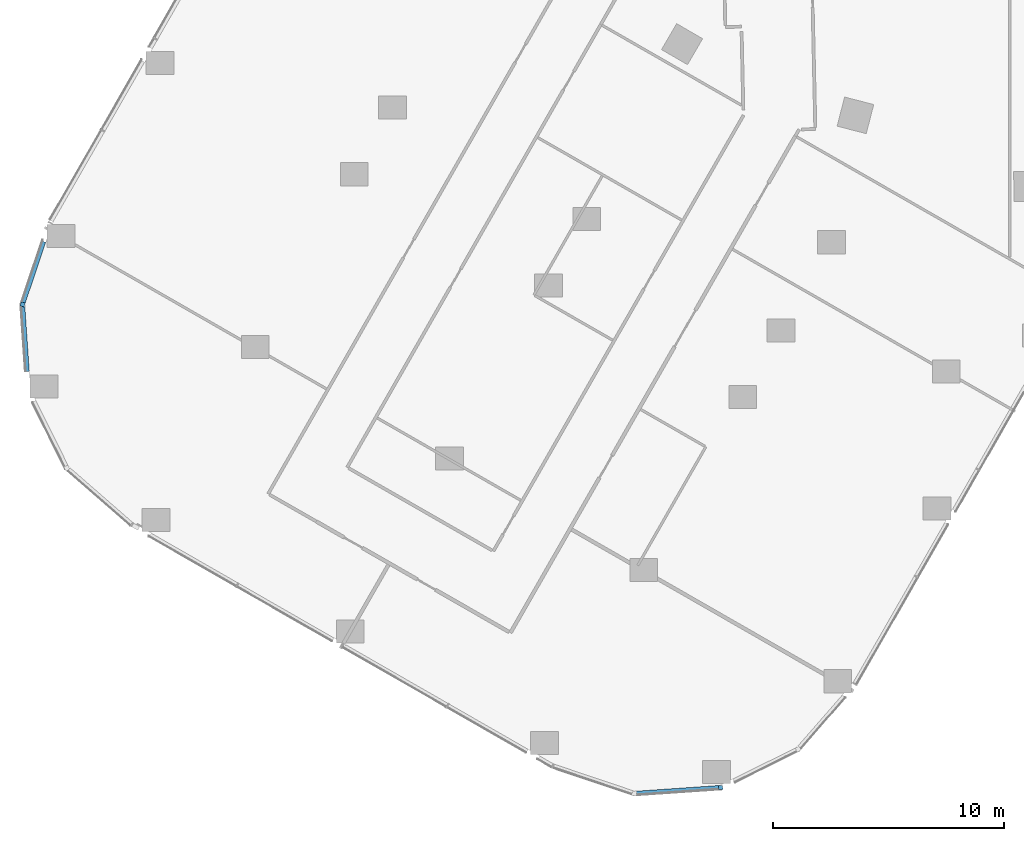
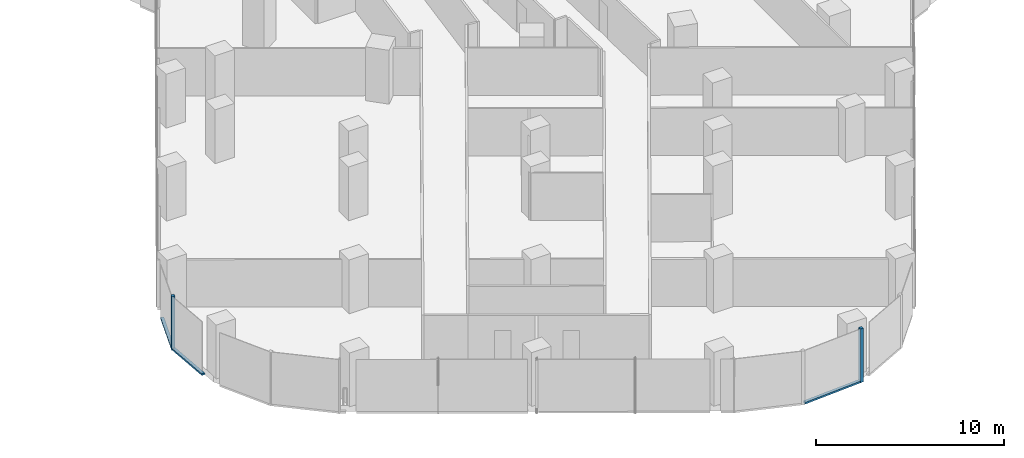
# One storey, part 3 of 34: 5 members, 3 elements without a shape of their own.
"""IFC4 building model written with IfcOpenShell, lengths in metres."""

from ifc_helpers import new_model, si_unit, direction, frame, origin, origin_2d, place, context, subcontext, project, spatial, rectangle, extrude, material, material_profile, profile_set, type_object, element, aggregate, save


model = new_model("IFC4")

# Units and contexts
model_context = context("Model", 3, precision=1e-05, world=origin(), true_north=direction((0.0, 1.0)))
body_context = subcontext(model_context, "Body", "Model", "MODEL_VIEW")
ifc_project = project(units=[si_unit("LENGTHUNIT", "METRE"), si_unit("AREAUNIT", "SQUARE_METRE"), si_unit("VOLUMEUNIT", "CUBIC_METRE"), si_unit("PLANEANGLEUNIT", "RADIAN"), si_unit("MASSUNIT", "GRAM", prefix="KILO")], contexts=[model_context])

# Site, building, storey
site_placement = place(None, origin())
site = spatial("IfcSite", under=ifc_project, at=site_placement, CompositionType="ELEMENT")
building_placement = place(site_placement, origin())
building = spatial("IfcBuilding", under=site, at=building_placement, Name="Orlundy Tower", CompositionType="ELEMENT")
storey_placement = place(building_placement, frame((0.0, 0.0, 109.199951171875)))
storey = spatial("IfcBuildingStorey", under=building, at=storey_placement, Name="L27", CompositionType="ELEMENT", Elevation=109.199951171875)

# Curtain wall, member
ifc_material_1 = material(Name="Aluminium bronze anodised", Category="aluminium")
curtain_wall_type = type_object("IfcCurtainWallType", Name="CW1 wall", PredefinedType="NOTDEFINED", material=ifc_material_1)
curtain_wall_1_placement = place(storey_placement, origin())
curtain_wall_1 = element("IfcCurtainWall", 1, at=curtain_wall_1_placement, inside=storey, type_object=curtain_wall_type, Name="CW1 run 05", PredefinedType="NOTDEFINED")
ifc_material_2 = material(Name="Aluminium bronze anodised", Category="aluminium")
ifc_material_profile_1 = material_profile(ifc_material_2, rectangle(XDim=0.179931640625, YDim=0.179931640625, at=origin_2d()), Name="CW1 corner post 180x180")
ifc_profile_set_1 = profile_set([ifc_material_profile_1], Name="Aluminium bronze anodised")
member_type_1 = type_object("IfcMemberType", Name="CW1 corner post 180x180", PredefinedType="MULLION", material=ifc_profile_set_1)
member_1_placement = place(storey_placement, frame((-13.256103515625, -57.8544921875, -0.39990234375), z_axis=(0.0, 0.0, 1.0), x_axis=(0.068524326451, -0.99764944579, 0.0)))
member_1 = element("IfcMember", 2, at=member_1_placement, type_object=member_type_1, Name="CW1 mullion 16", PredefinedType="MULLION", context=body_context, shape_type="SweptSolid", body=[
    extrude(rectangle(XDim=0.179931640625, YDim=0.179931640625, at=origin_2d()), origin(), (0.0, 0.0, 1.0), 3.5),
])

curtain_wall_2_placement = place(storey_placement, origin())
curtain_wall_2 = element("IfcCurtainWall", 3, at=curtain_wall_2_placement, inside=storey, type_object=curtain_wall_type, Name="CW1 run 011", PredefinedType="NOTDEFINED")
member_2_placement = place(storey_placement, frame((-43.49609375, -36.92626953125, -0.39990234375), z_axis=(0.0, 0.0, 1.0), x_axis=(-0.947816641566, 0.318815956268, 0.0)))
member_2 = element("IfcMember", 4, at=member_2_placement, type_object=member_type_1, Name="CW1 mullion 25", PredefinedType="MULLION", context=body_context, shape_type="SweptSolid", body=[
    extrude(rectangle(XDim=0.179931640625, YDim=0.179931640625, at=origin_2d()), origin(), (0.0, 0.0, 1.0), 3.5),
])

# Member
ifc_material_3 = material(Name="Aluminium bronze anodised", Category="aluminium")
ifc_material_profile_2 = material_profile(ifc_material_3, rectangle(XDim=0.179931640625, YDim=0.1201171875, at=origin_2d()), Name="CW1 transom 180x120")
ifc_profile_set_2 = profile_set([ifc_material_profile_2], Name="Aluminium bronze anodised")
member_type_2 = type_object("IfcMemberType", Name="CW1 transom 180x120", PredefinedType="USERDEFINED", material=ifc_profile_set_2)
member_3_placement = place(storey_placement, frame((-13.345703125, -57.86083984375, -0.33984375), z_axis=(-0.997653514019, -0.068465071137, 0.0), x_axis=(0.068465071137, -0.997653514019, 0.0)))
member_3 = element("IfcMember", 5, at=member_3_placement, type_object=member_type_2, Name="CW1 transom", ObjectType="TRANSOM", PredefinedType="USERDEFINED", context=body_context, shape_type="SweptSolid", body=[
    extrude(rectangle(XDim=0.179931640625, YDim=0.1201171875, at=origin_2d()), origin(), (0.0, 0.0, 1.0), 3.55517578125),
])

aggregate(curtain_wall_1, [member_1, member_3])

# Curtain wall, member
curtain_wall_3_placement = place(storey_placement, origin())
curtain_wall_3 = element("IfcCurtainWall", 6, at=curtain_wall_3_placement, inside=storey, type_object=curtain_wall_type, Name="CW1 run 010", PredefinedType="NOTDEFINED")
member_4_placement = place(storey_placement, frame((-43.29736328125, -39.8291015625, -0.33984375), z_axis=(-0.068235990072, 0.997669208535, 0.0), x_axis=(-0.997669208535, -0.068235990072, 0.0)))
member_4 = element("IfcMember", 7, at=member_4_placement, type_object=member_type_2, Name="CW1 transom", ObjectType="TRANSOM", PredefinedType="USERDEFINED", context=body_context, shape_type="SweptSolid", body=[
    extrude(rectangle(XDim=0.179931640625, YDim=0.1201171875, at=origin_2d()), origin(), (0.0, 0.0, 1.0), 2.812255859375),
])
aggregate(curtain_wall_3, [member_4])

# Member
member_5_placement = place(storey_placement, frame((-43.46728515625, -36.841064453125, -0.33984375), z_axis=(0.318784984318, 0.947827059, 0.0), x_axis=(-0.947827059, 0.318784984318, 0.0)))
member_5 = element("IfcMember", 8, at=member_5_placement, type_object=member_type_2, Name="CW1 transom", ObjectType="TRANSOM", PredefinedType="USERDEFINED", context=body_context, shape_type="SweptSolid", body=[
    extrude(rectangle(XDim=0.179931640625, YDim=0.1201171875, at=origin_2d()), origin(), (0.0, 0.0, 1.0), 2.77685546875),
])

aggregate(curtain_wall_2, [member_2, member_5])

save(model, "model.ifc")
